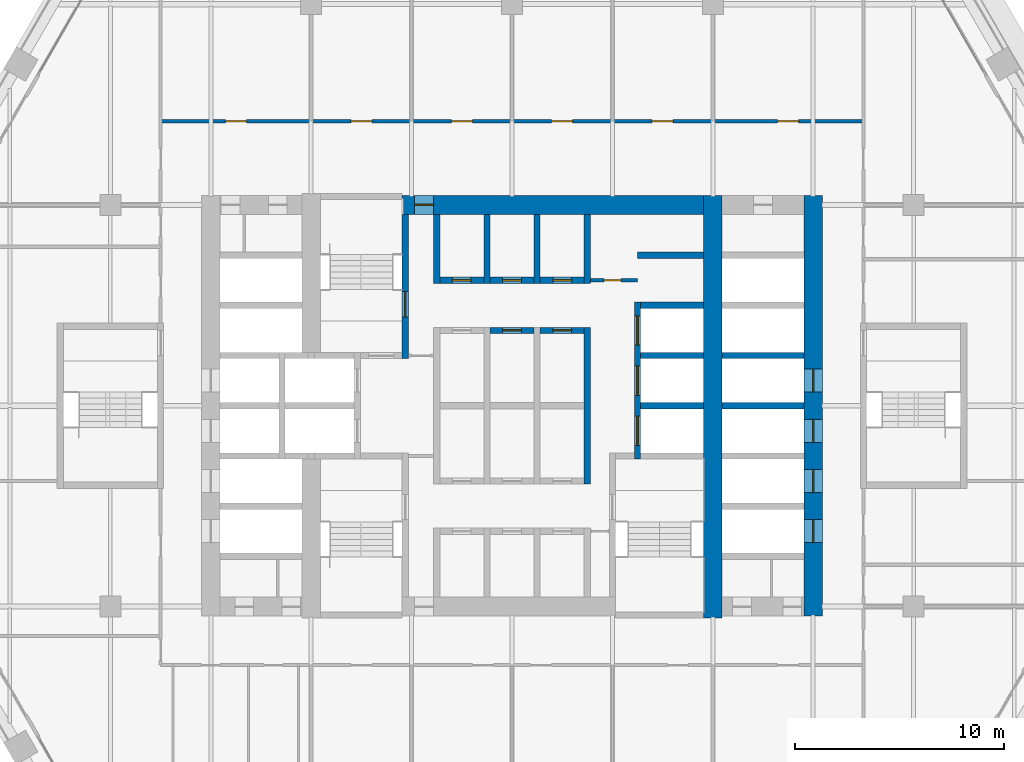
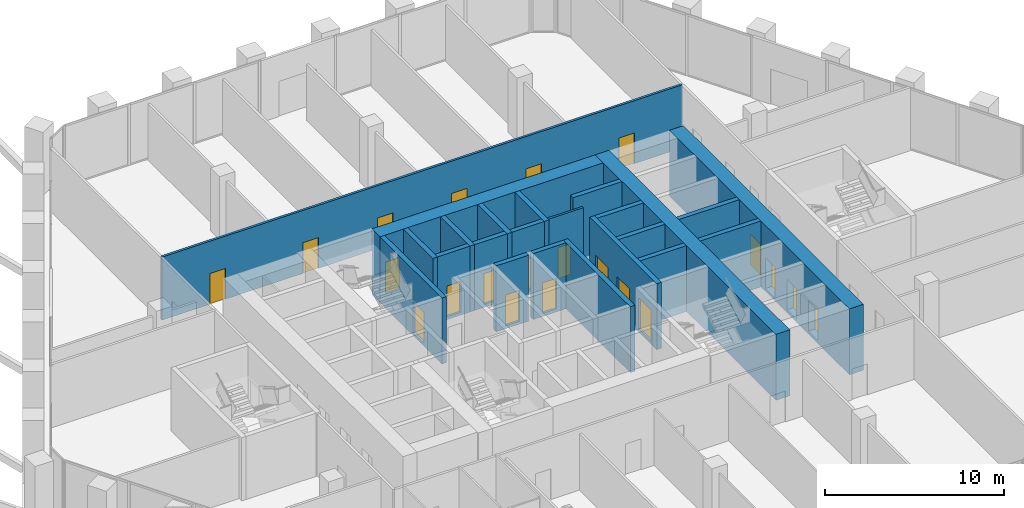
# One storey, part 18 of 27: 23 walls, 21 doors, 21 openings.
"""IFC4 building model written with IfcOpenShell, lengths in metres."""

import ifcopenshell
import ifcopenshell.guid

model = None  # the IFC model being written
_history = None  # IfcOwnerHistory: only IFC2X3 demands one
_inside = {}  # id of a spatial element -> (the spatial element, [elements in it])
_under = {}  # id of a project, library or spatial element -> (it, [spatial elements below it])
_declared = {}  # id of a project -> (the project, [libraries it declares])
_typed = {}  # id of a type object -> (the type object, [elements of that type])
_made_of = {}  # id of a material, layer set ... -> (it, [elements and type objects made of it])


def new_model(schema):
    """Start an empty IFC model of exactly this schema.

    Asked for "IFC4X3", IfcOpenShell would pick the latest addendum, in which some entities
    have other attributes; the version numbers below select the first issue.
    IFC2X3 requires an IfcOwnerHistory on every rooted entity: one is made here for all.
    """
    global model, _history
    if schema == "IFC4X3":
        model = ifcopenshell.file(schema_version=(4, 3, 0, 0))
    else:
        model = ifcopenshell.file(schema=schema)
    _inside.clear()
    _under.clear()
    _declared.clear()
    _typed.clear()
    _made_of.clear()
    _history = None
    if model.schema == "IFC2X3":
        org = make("IfcOrganization", Name="unknown")
        user = make(
            "IfcPersonAndOrganization",
            ThePerson=make("IfcPerson", FamilyName="unknown"),
            TheOrganization=org,
        )
        app = make(
            "IfcApplication",
            ApplicationDeveloper=org,
            Version="unknown",
            ApplicationFullName="unknown",
            ApplicationIdentifier="unknown",
        )
        _history = make(
            "IfcOwnerHistory",
            OwningUser=user,
            OwningApplication=app,
            ChangeAction="ADDED",
            CreationDate=0,
        )
    return model


def make(cls, **values):
    """One entity of the class cls with the attributes given. An attribute that is None is left unset."""
    return model.create_entity(
        cls, **{name: value for name, value in values.items() if value is not None}
    )


def rooted(cls, **values):
    """An entity with a GlobalId (a new one), such as an element, a storey or a relation."""
    return make(cls, GlobalId=ifcopenshell.guid.new(), OwnerHistory=_history, **values)


def si_unit(unit_type, name, prefix=None):
    """IfcSIUnit, for example si_unit("LENGTHUNIT", "METRE", prefix="MILLI")."""
    return make("IfcSIUnit", UnitType=unit_type, Prefix=prefix, Name=name)


def assignment(units):
    """IfcUnitAssignment: the units of a project."""
    return None if units is None else make("IfcUnitAssignment", Units=units)


def point(xyz):
    """IfcCartesianPoint."""
    return None if xyz is None else make("IfcCartesianPoint", Coordinates=xyz)


def direction(xyz):
    """IfcDirection."""
    return None if xyz is None else make("IfcDirection", DirectionRatios=xyz)


def frame(location, z_axis=None, x_axis=None):
    """IfcAxis2Placement3D, a coordinate frame: its origin and axes. An axis left out is left unset."""
    return make(
        "IfcAxis2Placement3D",
        Location=point(location),
        Axis=direction(z_axis),
        RefDirection=direction(x_axis),
    )


def frame_2d(location, x_axis=None):
    """IfcAxis2Placement2D, a coordinate frame in the plane: its origin and x axis."""
    return make(
        "IfcAxis2Placement2D", Location=point(location), RefDirection=direction(x_axis)
    )


def origin():
    """The frame at (0, 0, 0) with its axes left unset."""
    return frame((0.0, 0.0, 0.0))


def place(relative_to, where):
    """IfcLocalPlacement: puts the frame where relative to a parent placement (None: the world)."""
    return make(
        "IfcLocalPlacement", PlacementRelTo=relative_to, RelativePlacement=where
    )


def context(
    kind, dimensions, precision=None, world=None, true_north=None, identifier=None
):
    """IfcGeometricRepresentationContext, for example the 3D "Model" context."""
    return make(
        "IfcGeometricRepresentationContext",
        ContextIdentifier=identifier,
        ContextType=kind,
        CoordinateSpaceDimension=dimensions,
        Precision=precision,
        WorldCoordinateSystem=world,
        TrueNorth=true_north,
    )


def subcontext(parent, identifier, kind, view, scale=None):
    """IfcGeometricRepresentationSubContext, for example "Body" below "Model"."""
    return make(
        "IfcGeometricRepresentationSubContext",
        ContextIdentifier=identifier,
        ContextType=kind,
        ParentContext=parent,
        TargetScale=scale,
        TargetView=view,
    )


def project(units=None, contexts=None):
    """IfcProject with its units and contexts."""
    return rooted(
        "IfcProject",
        Name="project",
        RepresentationContexts=contexts,
        UnitsInContext=assignment(units),
    )


def spatial(cls, under=None, at=None, **own):
    """A site, building, storey or space (cls), placed at a placement, below another one or the project."""
    s = rooted(cls, ObjectPlacement=at, **own)
    if under is not None:
        _under.setdefault(under.id(), (under, []))[1].append(s)
    return s


def profile(cls, at=None, kind="AREA", **sizes):
    """A parametric profile (cls). Its sizes go by their IFC names, for example OverallWidth=200.0."""
    return make(cls, ProfileType=kind, Position=at, **sizes)


def rectangle(**sizes):
    """IfcRectangleProfileDef."""
    return profile("IfcRectangleProfileDef", **sizes)


def extrude(swept, where, along, depth):
    """IfcExtrudedAreaSolid: the profile swept, set in the frame where, extruded along a direction by depth."""
    return make(
        "IfcExtrudedAreaSolid",
        SweptArea=swept,
        Position=where,
        ExtrudedDirection=direction(along),
        Depth=depth,
    )


def shape(context_of_items, identifier, shape_type, items):
    """IfcShapeRepresentation: the items that make up one representation, for example the "Body"."""
    return make(
        "IfcShapeRepresentation",
        ContextOfItems=context_of_items,
        RepresentationIdentifier=identifier,
        RepresentationType=shape_type,
        Items=items,
    )


def material(Name=None, Category=None):
    """IfcMaterial."""
    return make("IfcMaterial", Name=Name, Category=Category)


def layer(
    of_material, thickness, ventilated=None, Name=None, Category=None, Priority=None
):
    """IfcMaterialLayer: one layer of a wall or slab, of a material (None: an air gap)."""
    return make(
        "IfcMaterialLayer",
        Material=of_material,
        LayerThickness=thickness,
        IsVentilated=ventilated,
        Name=Name,
        Category=Category,
        Priority=Priority,
    )


def layer_set(layers, Name=None):
    """IfcMaterialLayerSet."""
    return make("IfcMaterialLayerSet", MaterialLayers=layers, LayerSetName=Name)


def made_of(thing, what):
    """Note that an element or type object is made of a material, layer set ...; save() writes the relation."""
    if what is not None:
        _made_of.setdefault(what.id(), (what, []))[1].append(thing)
    return thing


def type_object(cls, material=None, **own):
    """A type object (cls), such as IfcWallType, which elements share."""
    return made_of(rooted(cls, **own), material)


def element(
    cls,
    number,
    at=None,
    inside=None,
    cuts=None,
    type_object=None,
    material=None,
    context=None,
    identifier="Body",
    shape_type=None,
    held_by="IfcProductDefinitionShape",
    body=None,
    shapes=None,
    **own,
):
    """One element of the class cls, such as IfcWall. Its Tag is "e" and its number.

    at: its placement. inside: the storey or other place that contains it. cuts: it is an
    opening in that element (IfcRelVoidsElement). A single representation is given by context,
    identifier, shape_type and body (its items); several are given by shapes. held_by: the class
    of the entity that holds the representations. save() writes the other relations.
    """
    e = rooted(cls, Tag="e%d" % number, ObjectPlacement=at, **own)
    if body is not None:
        shapes = [shape(context, identifier, shape_type, body)]
    if shapes is not None:
        e.Representation = make(held_by, Representations=shapes)
    if inside is not None:
        _inside.setdefault(inside.id(), (inside, []))[1].append(e)
    if cuts is not None:
        rooted(
            "IfcRelVoidsElement", RelatingBuildingElement=cuts, RelatedOpeningElement=e
        )
    if type_object is not None:
        _typed.setdefault(type_object.id(), (type_object, []))[1].append(e)
    return made_of(e, material)


def fill(opening, filler):
    """IfcRelFillsElement: the door or window that sits in an opening."""
    return rooted(
        "IfcRelFillsElement",
        RelatingOpeningElement=opening,
        RelatedBuildingElement=filler,
    )


def aggregate(whole, parts):
    """IfcRelAggregates: a whole, such as a stair, and the parts it consists of."""
    return rooted("IfcRelAggregates", RelatingObject=whole, RelatedObjects=parts)


def save(model, path):
    """Write the relations noted so far, then the file.

    IfcRelAggregates (storeys below a building ...), IfcRelContainedInSpatialStructure (elements
    in a storey), IfcRelDefinesByType, IfcRelAssociatesMaterial and IfcRelDeclares: one each for
    every whole, place, type object, material and project.
    """
    for whole, parts in _under.values():
        aggregate(whole, parts)
    for where, things in _inside.values():
        rooted(
            "IfcRelContainedInSpatialStructure",
            RelatedElements=things,
            RelatingStructure=where,
        )
    for kind, things in _typed.values():
        rooted("IfcRelDefinesByType", RelatedObjects=things, RelatingType=kind)
    for what, things in _made_of.values():
        rooted("IfcRelAssociatesMaterial", RelatedObjects=things, RelatingMaterial=what)
    for by, libraries in _declared.values():
        rooted("IfcRelDeclares", RelatingContext=by, RelatedDefinitions=libraries)
    model.write(path)


model = new_model("IFC4")

# Units and contexts
model_context = context("Model", 3, precision=1e-05, world=origin(), true_north=direction((0.0, 1.0)))
body_context = subcontext(model_context, "Body", "Model", "MODEL_VIEW")
ifc_project = project(units=[si_unit("LENGTHUNIT", "METRE"), si_unit("AREAUNIT", "SQUARE_METRE"), si_unit("VOLUMEUNIT", "CUBIC_METRE"), si_unit("PLANEANGLEUNIT", "RADIAN"), si_unit("MASSUNIT", "GRAM", prefix="KILO")], contexts=[model_context])

# Site, building, storey
site_placement = place(None, origin())
site = spatial("IfcSite", under=ifc_project, at=site_placement, CompositionType="ELEMENT")
building_placement = place(site_placement, origin())
building = spatial("IfcBuilding", under=site, at=building_placement, Name="Kolab Exchange Tower", CompositionType="ELEMENT")
storey_placement = place(building_placement, frame((0.0, 0.0, 118.39990234375)))
storey = spatial("IfcBuildingStorey", under=building, at=storey_placement, Name="L23", CompositionType="ELEMENT", Elevation=118.39990234375)

# Wall, opening, door
ifc_material_1 = material(Name="Concrete C70/85", Category="concrete")
ifc_layer_1 = layer(ifc_material_1, 0.89990234375)
ifc_layer_set_1 = layer_set([ifc_layer_1], Name="Concrete C70/85")
wall_type_1 = type_object("IfcWallType", Name="CORE WALL 900 C70/85", PredefinedType="SHEAR", material=ifc_layer_set_1)
wall_1_placement = place(storey_placement, frame((-5.25, 9.60009765625, -0.199951171875), z_axis=(0.0, 0.0, 1.0), x_axis=(1.0, 0.0, 0.0)))
wall_1 = element("IfcWall", 1, at=wall_1_placement, inside=storey, type_object=wall_type_1, Name="wall/L23/core/052", PredefinedType="SHEAR", context=body_context, shape_type="SweptSolid", body=[
    extrude(rectangle(XDim=14.39990234375, YDim=0.89990234375, at=frame_2d((7.199951171875, 0.0))), origin(), (0.0, 0.0, 1.0), 4.5),
])
opening_1_placement = place(wall_1_placement, frame((0.60009765625, 0.0, 0.199951171875)))
opening_1 = element("IfcOpeningElement", 2, at=opening_1_placement, cuts=wall_1, Name="Opening D6-225", PredefinedType="OPENING", context=body_context, shape_type="SweptSolid", body=[
    extrude(rectangle(XDim=0.89990234375, YDim=2.10009765625, at=frame_2d((0.449951171875, 1.050048828125))), frame((0.0, 0.4599609375, 0.0), z_axis=(0.0, -1.0, 0.0), x_axis=(1.0, 0.0, 0.0)), (0.0, 0.0, 1.0), 0.919921875),
])
ifc_material_2 = material(Name="Steel S235", Category="steel")
door_type_1 = type_object("IfcDoorType", Name="CORE DOOR 900 EI 120", OperationType="SINGLE_SWING_LEFT", PredefinedType="DOOR", material=ifc_material_2)
door_1_placement = place(opening_1_placement, frame((0.89990234375, 0.0, 0.0), z_axis=(0.0, 0.0, 1.0), x_axis=(-1.0, 0.0, 0.0)))
door_1 = element("IfcDoor", 3, at=door_1_placement, inside=storey, type_object=door_type_1, Name="Core lobby door", OperationType="SINGLE_SWING_RIGHT", OverallHeight=2.10009765625, OverallWidth=0.89990234375, PredefinedType="DOOR", context=body_context, shape_type="SweptSolid", body=[
    extrude(rectangle(XDim=0.89990234375, YDim=2.10009765625, at=frame_2d((0.449951171875, 1.050048828125))), frame((0.0, 0.02490234375, 0.0), z_axis=(0.0, -1.0, 0.0), x_axis=(1.0, 0.0, 0.0)), (0.0, 0.0, 1.0), 0.050048828125),
])
fill(opening_1, door_1)

# Wall
wall_2_placement = place(storey_placement, frame((9.60009765625, -10.14990234375, -0.199951171875), z_axis=(0.0, 0.0, 1.0), x_axis=(0.0, 1.0, 0.0)))
element("IfcWall", 4, at=wall_2_placement, inside=storey, type_object=wall_type_1, Name="wall/L23/core/080", PredefinedType="SHEAR", context=body_context, shape_type="SweptSolid", body=[
    extrude(rectangle(XDim=20.199951171875, YDim=0.89990234375, at=frame_2d((10.10009765625, 0.0))), origin(), (0.0, 0.0, 1.0), 4.5),
])

# Wall, openings, doors
wall_3_placement = place(storey_placement, frame((14.39990234375, -10.050048828125, -0.199951171875), z_axis=(0.0, 0.0, 1.0), x_axis=(0.0, 1.0, 0.0)))
wall_3 = element("IfcWall", 5, at=wall_3_placement, inside=storey, type_object=wall_type_1, Name="wall/L23/core/081", PredefinedType="SHEAR", context=body_context, shape_type="SweptSolid", body=[
    extrude(rectangle(XDim=20.10009765625, YDim=0.89990234375, at=frame_2d((10.050048828125, 0.0))), origin(), (0.0, 0.0, 1.0), 4.5),
])
opening_2_placement = place(wall_3_placement, frame((3.5, 0.0, 0.199951171875)))
opening_2 = element("IfcOpeningElement", 6, at=opening_2_placement, cuts=wall_3, Name="Opening LD1-069", PredefinedType="OPENING", context=body_context, shape_type="SweptSolid", body=[
    extrude(rectangle(XDim=1.10009765625, YDim=2.10009765625, at=frame_2d((0.550048828125, 1.050048828125))), frame((0.0, 0.4599609375, 0.0), z_axis=(0.0, -1.0, 0.0), x_axis=(1.0, 0.0, 0.0)), (0.0, 0.0, 1.0), 0.919921875),
])
opening_3_placement = place(wall_3_placement, frame((5.89990234375, 0.0, 0.199951171875)))
opening_3 = element("IfcOpeningElement", 7, at=opening_3_placement, cuts=wall_3, Name="Opening LD1-070", PredefinedType="OPENING", context=body_context, shape_type="SweptSolid", body=[
    extrude(rectangle(XDim=1.10009765625, YDim=2.10009765625, at=frame_2d((0.550048828125, 1.050048828125))), frame((0.0, 0.4599609375, 0.0), z_axis=(0.0, -1.0, 0.0), x_axis=(1.0, 0.0, 0.0)), (0.0, 0.0, 1.0), 0.919921875),
])
opening_4_placement = place(wall_3_placement, frame((8.300048828125, 0.0, 0.199951171875)))
opening_4 = element("IfcOpeningElement", 8, at=opening_4_placement, cuts=wall_3, Name="Opening LD1-071", PredefinedType="OPENING", context=body_context, shape_type="SweptSolid", body=[
    extrude(rectangle(XDim=1.10009765625, YDim=2.10009765625, at=frame_2d((0.550048828125, 1.050048828125))), frame((0.0, 0.4599609375, 0.0), z_axis=(0.0, -1.0, 0.0), x_axis=(1.0, 0.0, 0.0)), (0.0, 0.0, 1.0), 0.919921875),
])
opening_5_placement = place(wall_3_placement, frame((10.699951171875, 0.0, 0.199951171875)))
opening_5 = element("IfcOpeningElement", 9, at=opening_5_placement, cuts=wall_3, Name="Opening LD1-072", PredefinedType="OPENING", context=body_context, shape_type="SweptSolid", body=[
    extrude(rectangle(XDim=1.10009765625, YDim=2.10009765625, at=frame_2d((0.550048828125, 1.050048828125))), frame((0.0, 0.4599609375, 0.0), z_axis=(0.0, -1.0, 0.0), x_axis=(1.0, 0.0, 0.0)), (0.0, 0.0, 1.0), 0.919921875),
])
ifc_material_3 = material(Name="Stainless steel 316", Category="steel")
door_type_2 = type_object("IfcDoorType", Name="LANDING DOOR 1100 PASSENGER", OperationType="DOUBLE_DOOR_SLIDING", PredefinedType="DOOR", material=ifc_material_3)
door_2_placement = place(opening_2_placement, origin())
door_2 = element("IfcDoor", 10, at=door_2_placement, inside=storey, type_object=door_type_2, Name="Landing door LR1", OperationType="DOUBLE_DOOR_SLIDING", OverallHeight=2.10009765625, OverallWidth=1.10009765625, PredefinedType="DOOR", context=body_context, shape_type="SweptSolid", body=[
    extrude(rectangle(XDim=1.10009765625, YDim=2.10009765625, at=frame_2d((0.550048828125, 1.050048828125))), frame((0.0, 0.02490234375, 0.0), z_axis=(0.0, -1.0, 0.0), x_axis=(1.0, 0.0, 0.0)), (0.0, 0.0, 1.0), 0.050048828125),
])
fill(opening_2, door_2)
door_3_placement = place(opening_3_placement, origin())
door_3 = element("IfcDoor", 11, at=door_3_placement, inside=storey, type_object=door_type_2, Name="Landing door LR2", OperationType="DOUBLE_DOOR_SLIDING", OverallHeight=2.10009765625, OverallWidth=1.10009765625, PredefinedType="DOOR", context=body_context, shape_type="SweptSolid", body=[
    extrude(rectangle(XDim=1.10009765625, YDim=2.10009765625, at=frame_2d((0.550048828125, 1.050048828125))), frame((0.0, 0.02490234375, 0.0), z_axis=(0.0, -1.0, 0.0), x_axis=(1.0, 0.0, 0.0)), (0.0, 0.0, 1.0), 0.050048828125),
])
fill(opening_3, door_3)
door_4_placement = place(opening_4_placement, origin())
door_4 = element("IfcDoor", 12, at=door_4_placement, inside=storey, type_object=door_type_2, Name="Landing door LR3", OperationType="DOUBLE_DOOR_SLIDING", OverallHeight=2.10009765625, OverallWidth=1.10009765625, PredefinedType="DOOR", context=body_context, shape_type="SweptSolid", body=[
    extrude(rectangle(XDim=1.10009765625, YDim=2.10009765625, at=frame_2d((0.550048828125, 1.050048828125))), frame((0.0, 0.02490234375, 0.0), z_axis=(0.0, -1.0, 0.0), x_axis=(1.0, 0.0, 0.0)), (0.0, 0.0, 1.0), 0.050048828125),
])
fill(opening_4, door_4)
door_5_placement = place(opening_5_placement, origin())
door_5 = element("IfcDoor", 13, at=door_5_placement, inside=storey, type_object=door_type_2, Name="Landing door LR4", OperationType="DOUBLE_DOOR_SLIDING", OverallHeight=2.10009765625, OverallWidth=1.10009765625, PredefinedType="DOOR", context=body_context, shape_type="SweptSolid", body=[
    extrude(rectangle(XDim=1.10009765625, YDim=2.10009765625, at=frame_2d((0.550048828125, 1.050048828125))), frame((0.0, 0.02490234375, 0.0), z_axis=(0.0, -1.0, 0.0), x_axis=(1.0, 0.0, 0.0)), (0.0, 0.0, 1.0), 0.050048828125),
])
fill(opening_5, door_5)

# Walls
ifc_material_4 = material(Name="Concrete C50/60", Category="concrete")
ifc_layer_2 = layer(ifc_material_4, 0.300048828125)
ifc_layer_set_2 = layer_set([ifc_layer_2], Name="Concrete C50/60")
wall_type_2 = type_object("IfcWallType", Name="LIFT SHAFT WALL 300 C50/60", PredefinedType="STANDARD", material=ifc_layer_set_2)
wall_4_placement = place(storey_placement, frame((6.14990234375, 0.0, -0.199951171875), z_axis=(0.0, 0.0, 1.0), x_axis=(1.0, 0.0, 0.0)))
element("IfcWall", 14, at=wall_4_placement, inside=storey, type_object=wall_type_2, Name="wall/L23/core/029", PredefinedType="STANDARD", context=body_context, shape_type="SweptSolid", body=[
    extrude(rectangle(XDim=3.0, YDim=0.300048828125, at=frame_2d((1.5, 0.0))), origin(), (0.0, 0.0, 1.0), 4.5),
])
wall_5_placement = place(storey_placement, frame((10.050048828125, 0.0, -0.199951171875), z_axis=(0.0, 0.0, 1.0), x_axis=(1.0, 0.0, 0.0)))
element("IfcWall", 15, at=wall_5_placement, inside=storey, type_object=wall_type_2, Name="wall/L23/core/030", PredefinedType="STANDARD", context=body_context, shape_type="SweptSolid", body=[
    extrude(rectangle(XDim=3.89990234375, YDim=0.300048828125, at=frame_2d((1.949951171875, 0.0))), origin(), (0.0, 0.0, 1.0), 4.5),
])
wall_6_placement = place(storey_placement, frame((6.14990234375, 2.39990234375, -0.199951171875), z_axis=(0.0, 0.0, 1.0), x_axis=(1.0, 0.0, 0.0)))
element("IfcWall", 16, at=wall_6_placement, inside=storey, type_object=wall_type_2, Name="wall/L23/core/035", PredefinedType="STANDARD", context=body_context, shape_type="SweptSolid", body=[
    extrude(rectangle(XDim=3.0, YDim=0.300048828125, at=frame_2d((1.5, 0.0))), origin(), (0.0, 0.0, 1.0), 4.5),
])
wall_7_placement = place(storey_placement, frame((10.050048828125, 2.39990234375, -0.199951171875), z_axis=(0.0, 0.0, 1.0), x_axis=(1.0, 0.0, 0.0)))
element("IfcWall", 17, at=wall_7_placement, inside=storey, type_object=wall_type_2, Name="wall/L23/core/036", PredefinedType="STANDARD", context=body_context, shape_type="SweptSolid", body=[
    extrude(rectangle(XDim=3.89990234375, YDim=0.300048828125, at=frame_2d((1.949951171875, 0.0))), origin(), (0.0, 0.0, 1.0), 4.5),
])

# Wall, opening, door
wall_8_placement = place(storey_placement, frame((-1.050048828125, 3.60009765625, -0.199951171875), z_axis=(0.0, 0.0, 1.0), x_axis=(1.0, 0.0, 0.0)))
wall_8 = element("IfcWall", 18, at=wall_8_placement, inside=storey, type_object=wall_type_2, Name="wall/L23/core/038", PredefinedType="STANDARD", context=body_context, shape_type="SweptSolid", body=[
    extrude(rectangle(XDim=2.10009765625, YDim=0.300048828125, at=frame_2d((1.050048828125, 0.0))), origin(), (0.0, 0.0, 1.0), 4.5),
])
opening_6_placement = place(wall_8_placement, frame((0.60009765625, 0.0, 0.199951171875)))
opening_6 = element("IfcOpeningElement", 19, at=opening_6_placement, cuts=wall_8, Name="Opening D6-230", PredefinedType="OPENING", context=body_context, shape_type="SweptSolid", body=[
    extrude(rectangle(XDim=0.89990234375, YDim=2.10009765625, at=frame_2d((0.449951171875, 1.050048828125))), frame((0.0, 0.16015625, 0.0), z_axis=(0.0, -1.0, 0.0), x_axis=(1.0, 0.0, 0.0)), (0.0, 0.0, 1.0), 0.320068359375),
])
door_6_placement = place(opening_6_placement, frame((0.89990234375, 0.0, 0.0), z_axis=(0.0, 0.0, 1.0), x_axis=(-1.0, 0.0, 0.0)))
door_6 = element("IfcDoor", 20, at=door_6_placement, inside=storey, type_object=door_type_1, Name="Service room door", OperationType="SINGLE_SWING_RIGHT", OverallHeight=2.10009765625, OverallWidth=0.89990234375, PredefinedType="DOOR", context=body_context, shape_type="SweptSolid", body=[
    extrude(rectangle(XDim=0.89990234375, YDim=2.10009765625, at=frame_2d((0.449951171875, 1.050048828125))), frame((0.0, 0.02490234375, 0.0), z_axis=(0.0, -1.0, 0.0), x_axis=(1.0, 0.0, 0.0)), (0.0, 0.0, 1.0), 0.050048828125),
])
fill(opening_6, door_6)

wall_9_placement = place(storey_placement, frame((1.35009765625, 3.60009765625, -0.199951171875), z_axis=(0.0, 0.0, 1.0), x_axis=(1.0, 0.0, 0.0)))
wall_9 = element("IfcWall", 21, at=wall_9_placement, inside=storey, type_object=wall_type_2, Name="wall/L23/core/039", PredefinedType="STANDARD", context=body_context, shape_type="SweptSolid", body=[
    extrude(rectangle(XDim=2.099853515625, YDim=0.300048828125, at=frame_2d((1.0498046875, 0.0))), origin(), (0.0, 0.0, 1.0), 4.5),
])
opening_7_placement = place(wall_9_placement, frame((0.60009765625, 0.0, 0.199951171875)))
opening_7 = element("IfcOpeningElement", 22, at=opening_7_placement, cuts=wall_9, Name="Opening D6-194", PredefinedType="OPENING", context=body_context, shape_type="SweptSolid", body=[
    extrude(rectangle(XDim=0.89990234375, YDim=2.10009765625, at=frame_2d((0.449951171875, 1.050048828125))), frame((0.0, 0.16015625, 0.0), z_axis=(0.0, -1.0, 0.0), x_axis=(1.0, 0.0, 0.0)), (0.0, 0.0, 1.0), 0.320068359375),
])
door_7_placement = place(opening_7_placement, frame((0.89990234375, 0.0, 0.0), z_axis=(0.0, 0.0, 1.0), x_axis=(-1.0, 0.0, 0.0)))
door_7 = element("IfcDoor", 23, at=door_7_placement, inside=storey, type_object=door_type_1, Name="Service room door", OperationType="SINGLE_SWING_RIGHT", OverallHeight=2.10009765625, OverallWidth=0.89990234375, PredefinedType="DOOR", context=body_context, shape_type="SweptSolid", body=[
    extrude(rectangle(XDim=0.89990234375, YDim=2.10009765625, at=frame_2d((0.449951171875, 1.050048828125))), frame((0.0, 0.02490234375, 0.0), z_axis=(0.0, -1.0, 0.0), x_axis=(1.0, 0.0, 0.0)), (0.0, 0.0, 1.0), 0.050048828125),
])
fill(opening_7, door_7)

# Wall
wall_10_placement = place(storey_placement, frame((6.14990234375, 4.800048828125, -0.199951171875), z_axis=(0.0, 0.0, 1.0), x_axis=(1.0, 0.0, 0.0)))
element("IfcWall", 24, at=wall_10_placement, inside=storey, type_object=wall_type_2, Name="wall/L23/core/043", PredefinedType="STANDARD", context=body_context, shape_type="SweptSolid", body=[
    extrude(rectangle(XDim=3.0, YDim=0.300048828125, at=frame_2d((1.5, 0.0))), origin(), (0.0, 0.0, 1.0), 4.5),
])

# Wall, opening, door
wall_11_placement = place(storey_placement, frame((-3.449951171875, 6.0, -0.199951171875), z_axis=(0.0, 0.0, 1.0), x_axis=(1.0, 0.0, 0.0)))
wall_11 = element("IfcWall", 25, at=wall_11_placement, inside=storey, type_object=wall_type_2, Name="wall/L23/core/045", PredefinedType="STANDARD", context=body_context, shape_type="SweptSolid", body=[
    extrude(rectangle(XDim=2.099853515625, YDim=0.300048828125, at=frame_2d((1.0498046875, 0.0))), origin(), (0.0, 0.0, 1.0), 4.5),
])
opening_8_placement = place(wall_11_placement, frame((0.60009765625, 0.0, 0.199951171875)))
opening_8 = element("IfcOpeningElement", 26, at=opening_8_placement, cuts=wall_11, Name="Opening D6-193", PredefinedType="OPENING", context=body_context, shape_type="SweptSolid", body=[
    extrude(rectangle(XDim=0.89990234375, YDim=2.10009765625, at=frame_2d((0.449951171875, 1.050048828125))), frame((0.0, 0.16015625, 0.0), z_axis=(0.0, -1.0, 0.0), x_axis=(1.0, 0.0, 0.0)), (0.0, 0.0, 1.0), 0.320068359375),
])
door_8_placement = place(opening_8_placement, origin())
door_8 = element("IfcDoor", 27, at=door_8_placement, inside=storey, type_object=door_type_1, Name="Service room door", OperationType="SINGLE_SWING_LEFT", OverallHeight=2.10009765625, OverallWidth=0.89990234375, PredefinedType="DOOR", context=body_context, shape_type="SweptSolid", body=[
    extrude(rectangle(XDim=0.89990234375, YDim=2.10009765625, at=frame_2d((0.449951171875, 1.050048828125))), frame((0.0, 0.02490234375, 0.0), z_axis=(0.0, -1.0, 0.0), x_axis=(1.0, 0.0, 0.0)), (0.0, 0.0, 1.0), 0.050048828125),
])
fill(opening_8, door_8)

wall_12_placement = place(storey_placement, frame((-1.050048828125, 6.0, -0.199951171875), z_axis=(0.0, 0.0, 1.0), x_axis=(1.0, 0.0, 0.0)))
wall_12 = element("IfcWall", 28, at=wall_12_placement, inside=storey, type_object=wall_type_2, Name="wall/L23/core/046", PredefinedType="STANDARD", context=body_context, shape_type="SweptSolid", body=[
    extrude(rectangle(XDim=2.10009765625, YDim=0.300048828125, at=frame_2d((1.050048828125, 0.0))), origin(), (0.0, 0.0, 1.0), 4.5),
])
opening_9_placement = place(wall_12_placement, frame((0.60009765625, 0.0, 0.199951171875)))
opening_9 = element("IfcOpeningElement", 29, at=opening_9_placement, cuts=wall_12, Name="Opening D6-192", PredefinedType="OPENING", context=body_context, shape_type="SweptSolid", body=[
    extrude(rectangle(XDim=0.89990234375, YDim=2.10009765625, at=frame_2d((0.449951171875, 1.050048828125))), frame((0.0, 0.16015625, 0.0), z_axis=(0.0, -1.0, 0.0), x_axis=(1.0, 0.0, 0.0)), (0.0, 0.0, 1.0), 0.320068359375),
])
door_9_placement = place(opening_9_placement, origin())
door_9 = element("IfcDoor", 30, at=door_9_placement, inside=storey, type_object=door_type_1, Name="Service room door", OperationType="SINGLE_SWING_LEFT", OverallHeight=2.10009765625, OverallWidth=0.89990234375, PredefinedType="DOOR", context=body_context, shape_type="SweptSolid", body=[
    extrude(rectangle(XDim=0.89990234375, YDim=2.10009765625, at=frame_2d((0.449951171875, 1.050048828125))), frame((0.0, 0.02490234375, 0.0), z_axis=(0.0, -1.0, 0.0), x_axis=(1.0, 0.0, 0.0)), (0.0, 0.0, 1.0), 0.050048828125),
])
fill(opening_9, door_9)

wall_13_placement = place(storey_placement, frame((1.35009765625, 6.0, -0.199951171875), z_axis=(0.0, 0.0, 1.0), x_axis=(1.0, 0.0, 0.0)))
wall_13 = element("IfcWall", 31, at=wall_13_placement, inside=storey, type_object=wall_type_2, Name="wall/L23/core/047", PredefinedType="STANDARD", context=body_context, shape_type="SweptSolid", body=[
    extrude(rectangle(XDim=2.099853515625, YDim=0.300048828125, at=frame_2d((1.0498046875, 0.0))), origin(), (0.0, 0.0, 1.0), 4.5),
])
opening_10_placement = place(wall_13_placement, frame((0.60009765625, 0.0, 0.199951171875)))
opening_10 = element("IfcOpeningElement", 32, at=opening_10_placement, cuts=wall_13, Name="Opening D6-191", PredefinedType="OPENING", context=body_context, shape_type="SweptSolid", body=[
    extrude(rectangle(XDim=0.89990234375, YDim=2.10009765625, at=frame_2d((0.449951171875, 1.050048828125))), frame((0.0, 0.16015625, 0.0), z_axis=(0.0, -1.0, 0.0), x_axis=(1.0, 0.0, 0.0)), (0.0, 0.0, 1.0), 0.320068359375),
])
door_10_placement = place(opening_10_placement, origin())
door_10 = element("IfcDoor", 33, at=door_10_placement, inside=storey, type_object=door_type_1, Name="Service room door", OperationType="SINGLE_SWING_RIGHT", OverallHeight=2.10009765625, OverallWidth=0.89990234375, PredefinedType="DOOR", context=body_context, shape_type="SweptSolid", body=[
    extrude(rectangle(XDim=0.89990234375, YDim=2.10009765625, at=frame_2d((0.449951171875, 1.050048828125))), frame((0.0, 0.02490234375, 0.0), z_axis=(0.0, -1.0, 0.0), x_axis=(1.0, 0.0, 0.0)), (0.0, 0.0, 1.0), 0.050048828125),
])
fill(opening_10, door_10)

# Walls
wall_14_placement = place(storey_placement, frame((6.0, 7.199951171875, -0.199951171875), z_axis=(0.0, 0.0, 1.0), x_axis=(1.0, 0.0, 0.0)))
element("IfcWall", 34, at=wall_14_placement, inside=storey, type_object=wall_type_2, Name="wall/L23/core/049", PredefinedType="STANDARD", context=body_context, shape_type="SweptSolid", body=[
    extrude(rectangle(XDim=3.14990234375, YDim=0.300048828125, at=frame_2d((1.574951171875, 0.0))), origin(), (0.0, 0.0, 1.0), 4.5),
])
for number, where, z_axis, x_axis, name in (
    (35, (-3.60009765625, 5.85009765625, -0.199951171875), (0.0, 0.0, 1.0), (0.0, 1.0, 0.0), "wall/L23/core/068"),
    (36, (-1.199951171875, 5.85009765625, -0.199951171875), (0.0, 0.0, 1.0), (0.0, 1.0, 0.0), "wall/L23/core/071"),
    (37, (1.199951171875, 5.85009765625, -0.199951171875), (0.0, 0.0, 1.0), (0.0, 1.0, 0.0), "wall/L23/core/074"),
):
    element("IfcWall", number, at=place(storey_placement, frame(where, z_axis=z_axis, x_axis=x_axis)), inside=storey, type_object=wall_type_2, Name=name, PredefinedType="STANDARD", context=body_context, shape_type="SweptSolid", body=[
        extrude(rectangle(XDim=3.2998046875, YDim=0.300048828125, at=frame_2d((1.64990234375, 0.0))), origin(), (0.0, 0.0, 1.0), 4.5),
    ])
wall_15_placement = place(storey_placement, frame((3.60009765625, -3.75, -0.199951171875), z_axis=(0.0, 0.0, 1.0), x_axis=(0.0, 1.0, 0.0)))
element("IfcWall", 38, at=wall_15_placement, inside=storey, type_object=wall_type_2, Name="wall/L23/core/076", PredefinedType="STANDARD", context=body_context, shape_type="SweptSolid", body=[
    extrude(rectangle(XDim=7.5, YDim=0.300048828125, at=frame_2d((3.75, 0.0))), origin(), (0.0, 0.0, 1.0), 4.5),
])
wall_16_placement = place(storey_placement, frame((3.60009765625, 5.85009765625, -0.199951171875), z_axis=(0.0, 0.0, 1.0), x_axis=(0.0, 1.0, 0.0)))
element("IfcWall", 39, at=wall_16_placement, inside=storey, type_object=wall_type_2, Name="wall/L23/core/077", PredefinedType="STANDARD", context=body_context, shape_type="SweptSolid", body=[
    extrude(rectangle(XDim=3.2998046875, YDim=0.300048828125, at=frame_2d((1.64990234375, 0.0))), origin(), (0.0, 0.0, 1.0), 4.5),
])

# Wall, openings, doors
wall_17_placement = place(storey_placement, frame((6.0, -2.550048828125, -0.199951171875), z_axis=(0.0, 0.0, 1.0), x_axis=(0.0, 1.0, 0.0)))
wall_17 = element("IfcWall", 40, at=wall_17_placement, inside=storey, type_object=wall_type_2, Name="wall/L23/core/079", PredefinedType="STANDARD", context=body_context, shape_type="SweptSolid", body=[
    extrude(rectangle(XDim=7.5, YDim=0.300048828125, at=frame_2d((3.75, 0.0))), origin(), (0.0, 0.0, 1.0), 4.5),
])
opening_11_placement = place(wall_17_placement, frame((0.64990234375, 0.0, 0.199951171875)))
opening_11 = element("IfcOpeningElement", 41, at=opening_11_placement, cuts=wall_17, Name="Opening LD3-025", PredefinedType="OPENING", context=body_context, shape_type="SweptSolid", body=[
    extrude(rectangle(XDim=1.39990234375, YDim=2.10009765625, at=frame_2d((0.699951171875, 1.050048828125))), frame((0.0, 0.16015625, 0.0), z_axis=(0.0, -1.0, 0.0), x_axis=(1.0, 0.0, 0.0)), (0.0, 0.0, 1.0), 0.320068359375),
])
opening_12_placement = place(wall_17_placement, frame((3.050048828125, 0.0, 0.199951171875)))
opening_12 = element("IfcOpeningElement", 42, at=opening_12_placement, cuts=wall_17, Name="Opening LD3-026", PredefinedType="OPENING", context=body_context, shape_type="SweptSolid", body=[
    extrude(rectangle(XDim=1.39990234375, YDim=2.10009765625, at=frame_2d((0.699951171875, 1.050048828125))), frame((0.0, 0.16015625, 0.0), z_axis=(0.0, -1.0, 0.0), x_axis=(1.0, 0.0, 0.0)), (0.0, 0.0, 1.0), 0.320068359375),
])
opening_13_placement = place(wall_17_placement, frame((5.449951171875, 0.0, 0.199951171875)))
opening_13 = element("IfcOpeningElement", 43, at=opening_13_placement, cuts=wall_17, Name="Opening LD3-027", PredefinedType="OPENING", context=body_context, shape_type="SweptSolid", body=[
    extrude(rectangle(XDim=1.39990234375, YDim=2.10009765625, at=frame_2d((0.699951171875, 1.050048828125))), frame((0.0, 0.16015625, 0.0), z_axis=(0.0, -1.0, 0.0), x_axis=(1.0, 0.0, 0.0)), (0.0, 0.0, 1.0), 0.320068359375),
])
door_type_3 = type_object("IfcDoorType", Name="LANDING DOOR 1400 SERVICE", OperationType="DOUBLE_DOOR_SLIDING", PredefinedType="DOOR", material=ifc_material_3)
door_11_placement = place(opening_11_placement, origin())
door_11 = element("IfcDoor", 44, at=door_11_placement, inside=storey, type_object=door_type_3, Name="Landing door SV1", OperationType="DOUBLE_DOOR_SLIDING", OverallHeight=2.10009765625, OverallWidth=1.39990234375, PredefinedType="DOOR", context=body_context, shape_type="SweptSolid", body=[
    extrude(rectangle(XDim=1.39990234375, YDim=2.10009765625, at=frame_2d((0.699951171875, 1.050048828125))), frame((0.0, 0.02490234375, 0.0), z_axis=(0.0, -1.0, 0.0), x_axis=(1.0, 0.0, 0.0)), (0.0, 0.0, 1.0), 0.050048828125),
])
fill(opening_11, door_11)
door_12_placement = place(opening_12_placement, origin())
door_12 = element("IfcDoor", 45, at=door_12_placement, inside=storey, type_object=door_type_3, Name="Landing door SV2", OperationType="DOUBLE_DOOR_SLIDING", OverallHeight=2.10009765625, OverallWidth=1.39990234375, PredefinedType="DOOR", context=body_context, shape_type="SweptSolid", body=[
    extrude(rectangle(XDim=1.39990234375, YDim=2.10009765625, at=frame_2d((0.699951171875, 1.050048828125))), frame((0.0, 0.02490234375, 0.0), z_axis=(0.0, -1.0, 0.0), x_axis=(1.0, 0.0, 0.0)), (0.0, 0.0, 1.0), 0.050048828125),
])
fill(opening_12, door_12)
door_13_placement = place(opening_13_placement, origin())
door_13 = element("IfcDoor", 46, at=door_13_placement, inside=storey, type_object=door_type_3, Name="Landing door SV3", OperationType="DOUBLE_DOOR_SLIDING", OverallHeight=2.10009765625, OverallWidth=1.39990234375, PredefinedType="DOOR", context=body_context, shape_type="SweptSolid", body=[
    extrude(rectangle(XDim=1.39990234375, YDim=2.10009765625, at=frame_2d((0.699951171875, 1.050048828125))), frame((0.0, 0.02490234375, 0.0), z_axis=(0.0, -1.0, 0.0), x_axis=(1.0, 0.0, 0.0)), (0.0, 0.0, 1.0), 0.050048828125),
])
fill(opening_13, door_13)

# Wall, opening, door
ifc_material_5 = material(Name="Gypsum board", Category="gypsum")
ifc_layer_3 = layer(ifc_material_5, 0.14990234375)
ifc_layer_set_3 = layer_set([ifc_layer_3], Name="Gypsum board")
wall_type_3 = type_object("IfcWallType", Name="PARTITION 150 FIRE-RATED", PredefinedType="PARTITIONING", material=ifc_layer_set_3)
wall_18_placement = place(storey_placement, frame((3.75, 6.0, 0.0), z_axis=(0.0, 0.0, 1.0), x_axis=(1.0, 0.0, 0.0)))
wall_18 = element("IfcWall", 47, at=wall_18_placement, inside=storey, type_object=wall_type_3, Name="Partition 035", PredefinedType="PARTITIONING", context=body_context, shape_type="SweptSolid", body=[
    extrude(rectangle(XDim=2.25, YDim=0.14990234375, at=frame_2d((1.125, 0.0))), origin(), (0.0, 0.0, 1.0), 4.300048828125),
])
opening_14_placement = place(wall_18_placement, frame((0.64990234375, 0.0, 0.0)))
opening_14 = element("IfcOpeningElement", 48, at=opening_14_placement, cuts=wall_18, Name="Opening D7-023", PredefinedType="OPENING", context=body_context, shape_type="SweptSolid", body=[
    extrude(rectangle(XDim=0.800048828125, YDim=2.10009765625, at=frame_2d((0.39990234375, 1.050048828125))), frame((0.0, 0.0849609375, 0.0), z_axis=(0.0, -1.0, 0.0), x_axis=(1.0, 0.0, 0.0)), (0.0, 0.0, 1.0), 0.169921875),
])
door_type_4 = type_object("IfcDoorType", Name="FLUSH DOOR 800 FD60", OperationType="SINGLE_SWING_LEFT", PredefinedType="DOOR", material=ifc_material_2)
door_14_placement = place(opening_14_placement, origin())
door_14 = element("IfcDoor", 49, at=door_14_placement, inside=storey, type_object=door_type_4, Name="Door L23-040", OperationType="SINGLE_SWING_LEFT", OverallHeight=2.10009765625, OverallWidth=0.800048828125, PredefinedType="DOOR", context=body_context, shape_type="SweptSolid", body=[
    extrude(rectangle(XDim=0.800048828125, YDim=2.10009765625, at=frame_2d((0.39990234375, 1.050048828125))), frame((0.0, 0.02490234375, 0.0), z_axis=(0.0, -1.0, 0.0), x_axis=(1.0, 0.0, 0.0)), (0.0, 0.0, 1.0), 0.050048828125),
])
fill(opening_14, door_14)

# Wall, openings, doors
wall_19_placement = place(storey_placement, frame((-16.800048828125, 13.60009765625, 0.0), z_axis=(0.0, 0.0, 1.0), x_axis=(1.0, 0.0, 0.0)))
wall_19 = element("IfcWall", 50, at=wall_19_placement, inside=storey, type_object=wall_type_3, Name="Partition 042", PredefinedType="PARTITIONING", context=body_context, shape_type="SweptSolid", body=[
    extrude(rectangle(XDim=33.60009765625, YDim=0.14990234375, at=frame_2d((16.800048828125, 0.0))), origin(), (0.0, 0.0, 1.0), 4.300048828125),
])
opening_15_placement = place(wall_19_placement, frame((3.10009765625, 0.0, 0.0)))
opening_15 = element("IfcOpeningElement", 51, at=opening_15_placement, cuts=wall_19, Name="Opening D1-301", PredefinedType="OPENING", context=body_context, shape_type="SweptSolid", body=[
    extrude(rectangle(XDim=1.0, YDim=2.10009765625, at=frame_2d((0.5, 1.050048828125))), frame((0.0, 0.0849609375, 0.0), z_axis=(0.0, -1.0, 0.0), x_axis=(1.0, 0.0, 0.0)), (0.0, 0.0, 1.0), 0.169921875),
])
opening_16_placement = place(wall_19_placement, frame((9.10009765625, 0.0, 0.0)))
opening_16 = element("IfcOpeningElement", 52, at=opening_16_placement, cuts=wall_19, Name="Opening D1-302", PredefinedType="OPENING", context=body_context, shape_type="SweptSolid", body=[
    extrude(rectangle(XDim=1.0, YDim=2.10009765625, at=frame_2d((0.5, 1.050048828125))), frame((0.0, 0.0849609375, 0.0), z_axis=(0.0, -1.0, 0.0), x_axis=(1.0, 0.0, 0.0)), (0.0, 0.0, 1.0), 0.169921875),
])
opening_17_placement = place(wall_19_placement, frame((13.89990234375, 0.0, 0.0)))
opening_17 = element("IfcOpeningElement", 53, at=opening_17_placement, cuts=wall_19, Name="Opening D1-303", PredefinedType="OPENING", context=body_context, shape_type="SweptSolid", body=[
    extrude(rectangle(XDim=1.0, YDim=2.10009765625, at=frame_2d((0.5, 1.050048828125))), frame((0.0, 0.0849609375, 0.0), z_axis=(0.0, -1.0, 0.0), x_axis=(1.0, 0.0, 0.0)), (0.0, 0.0, 1.0), 0.169921875),
])
opening_18_placement = place(wall_19_placement, frame((18.699951171875, 0.0, 0.0)))
opening_18 = element("IfcOpeningElement", 54, at=opening_18_placement, cuts=wall_19, Name="Opening D1-304", PredefinedType="OPENING", context=body_context, shape_type="SweptSolid", body=[
    extrude(rectangle(XDim=1.0, YDim=2.10009765625, at=frame_2d((0.5, 1.050048828125))), frame((0.0, 0.0849609375, 0.0), z_axis=(0.0, -1.0, 0.0), x_axis=(1.0, 0.0, 0.0)), (0.0, 0.0, 1.0), 0.169921875),
])
opening_19_placement = place(wall_19_placement, frame((23.5, 0.0, 0.0)))
opening_19 = element("IfcOpeningElement", 55, at=opening_19_placement, cuts=wall_19, Name="Opening D1-305", PredefinedType="OPENING", context=body_context, shape_type="SweptSolid", body=[
    extrude(rectangle(XDim=1.0, YDim=2.10009765625, at=frame_2d((0.5, 1.050048828125))), frame((0.0, 0.0849609375, 0.0), z_axis=(0.0, -1.0, 0.0), x_axis=(1.0, 0.0, 0.0)), (0.0, 0.0, 1.0), 0.169921875),
])
opening_20_placement = place(wall_19_placement, frame((29.5, 0.0, 0.0)))
opening_20 = element("IfcOpeningElement", 56, at=opening_20_placement, cuts=wall_19, Name="Opening D1-306", PredefinedType="OPENING", context=body_context, shape_type="SweptSolid", body=[
    extrude(rectangle(XDim=1.0, YDim=2.10009765625, at=frame_2d((0.5, 1.050048828125))), frame((0.0, 0.0849609375, 0.0), z_axis=(0.0, -1.0, 0.0), x_axis=(1.0, 0.0, 0.0)), (0.0, 0.0, 1.0), 0.169921875),
])
door_type_5 = type_object("IfcDoorType", Name="FLUSH DOOR 1000 FD60", OperationType="SINGLE_SWING_LEFT", PredefinedType="DOOR", material=ifc_material_2)
door_15_placement = place(opening_15_placement, origin())
door_15 = element("IfcDoor", 57, at=door_15_placement, inside=storey, type_object=door_type_5, Name="Door L23-048", OperationType="SINGLE_SWING_LEFT", OverallHeight=2.10009765625, OverallWidth=1.0, PredefinedType="DOOR", context=body_context, shape_type="SweptSolid", body=[
    extrude(rectangle(XDim=1.0, YDim=2.10009765625, at=frame_2d((0.5, 1.050048828125))), frame((0.0, 0.02490234375, 0.0), z_axis=(0.0, -1.0, 0.0), x_axis=(1.0, 0.0, 0.0)), (0.0, 0.0, 1.0), 0.050048828125),
])
fill(opening_15, door_15)
door_16_placement = place(opening_16_placement, origin())
door_16 = element("IfcDoor", 58, at=door_16_placement, inside=storey, type_object=door_type_5, Name="Door L23-049", OperationType="SINGLE_SWING_LEFT", OverallHeight=2.10009765625, OverallWidth=1.0, PredefinedType="DOOR", context=body_context, shape_type="SweptSolid", body=[
    extrude(rectangle(XDim=1.0, YDim=2.10009765625, at=frame_2d((0.5, 1.050048828125))), frame((0.0, 0.02490234375, 0.0), z_axis=(0.0, -1.0, 0.0), x_axis=(1.0, 0.0, 0.0)), (0.0, 0.0, 1.0), 0.050048828125),
])
fill(opening_16, door_16)
door_17_placement = place(opening_17_placement, origin())
door_17 = element("IfcDoor", 59, at=door_17_placement, inside=storey, type_object=door_type_5, Name="Door L23-050", OperationType="SINGLE_SWING_LEFT", OverallHeight=2.10009765625, OverallWidth=1.0, PredefinedType="DOOR", context=body_context, shape_type="SweptSolid", body=[
    extrude(rectangle(XDim=1.0, YDim=2.10009765625, at=frame_2d((0.5, 1.050048828125))), frame((0.0, 0.02490234375, 0.0), z_axis=(0.0, -1.0, 0.0), x_axis=(1.0, 0.0, 0.0)), (0.0, 0.0, 1.0), 0.050048828125),
])
fill(opening_17, door_17)
door_18_placement = place(opening_18_placement, origin())
door_18 = element("IfcDoor", 60, at=door_18_placement, inside=storey, type_object=door_type_5, Name="Door L23-051", OperationType="SINGLE_SWING_LEFT", OverallHeight=2.10009765625, OverallWidth=1.0, PredefinedType="DOOR", context=body_context, shape_type="SweptSolid", body=[
    extrude(rectangle(XDim=1.0, YDim=2.10009765625, at=frame_2d((0.5, 1.050048828125))), frame((0.0, 0.02490234375, 0.0), z_axis=(0.0, -1.0, 0.0), x_axis=(1.0, 0.0, 0.0)), (0.0, 0.0, 1.0), 0.050048828125),
])
fill(opening_18, door_18)
door_19_placement = place(opening_19_placement, origin())
door_19 = element("IfcDoor", 61, at=door_19_placement, inside=storey, type_object=door_type_5, Name="Door L23-052", OperationType="SINGLE_SWING_LEFT", OverallHeight=2.10009765625, OverallWidth=1.0, PredefinedType="DOOR", context=body_context, shape_type="SweptSolid", body=[
    extrude(rectangle(XDim=1.0, YDim=2.10009765625, at=frame_2d((0.5, 1.050048828125))), frame((0.0, 0.02490234375, 0.0), z_axis=(0.0, -1.0, 0.0), x_axis=(1.0, 0.0, 0.0)), (0.0, 0.0, 1.0), 0.050048828125),
])
fill(opening_19, door_19)
door_20_placement = place(opening_20_placement, origin())
door_20 = element("IfcDoor", 62, at=door_20_placement, inside=storey, type_object=door_type_5, Name="Door L23-053", OperationType="SINGLE_SWING_LEFT", OverallHeight=2.10009765625, OverallWidth=1.0, PredefinedType="DOOR", context=body_context, shape_type="SweptSolid", body=[
    extrude(rectangle(XDim=1.0, YDim=2.10009765625, at=frame_2d((0.5, 1.050048828125))), frame((0.0, 0.02490234375, 0.0), z_axis=(0.0, -1.0, 0.0), x_axis=(1.0, 0.0, 0.0)), (0.0, 0.0, 1.0), 0.050048828125),
])
fill(opening_20, door_20)

# Wall, opening, door
ifc_layer_4 = layer(ifc_material_4, 0.300048828125)
ifc_layer_set_4 = layer_set([ifc_layer_4], Name="Concrete C50/60")
wall_type_4 = type_object("IfcWallType", Name="STAIR ENCLOSURE WALL 300 C50/60", PredefinedType="STANDARD", material=ifc_layer_set_4)
wall_20_placement = place(storey_placement, frame((-5.10009765625, 2.25, -0.199951171875), z_axis=(0.0, 0.0, 1.0), x_axis=(0.0, 1.0, 0.0)))
wall_20 = element("IfcWall", 63, at=wall_20_placement, inside=storey, type_object=wall_type_4, Name="wall/L23/core/065", PredefinedType="STANDARD", context=body_context, shape_type="SweptSolid", body=[
    extrude(rectangle(XDim=6.89990234375, YDim=0.300048828125, at=frame_2d((3.449951171875, 0.0))), origin(), (0.0, 0.0, 1.0), 4.5),
])
opening_21_placement = place(wall_20_placement, frame((2.0, 0.0, 0.199951171875)))
opening_21 = element("IfcOpeningElement", 64, at=opening_21_placement, cuts=wall_20, Name="Opening D4-044", PredefinedType="OPENING", context=body_context, shape_type="SweptSolid", body=[
    extrude(rectangle(XDim=1.199951171875, YDim=2.10009765625, at=frame_2d((0.60009765625, 1.050048828125))), frame((0.0, 0.16015625, 0.0), z_axis=(0.0, -1.0, 0.0), x_axis=(1.0, 0.0, 0.0)), (0.0, 0.0, 1.0), 0.320068359375),
])
door_type_6 = type_object("IfcDoorType", Name="STAIR DOOR 1200 EI 120", OperationType="SINGLE_SWING_LEFT", PredefinedType="DOOR", material=ifc_material_2)
door_21_placement = place(opening_21_placement, origin())
door_21 = element("IfcDoor", 65, at=door_21_placement, inside=storey, type_object=door_type_6, Name="Stair 1 door", OperationType="SINGLE_SWING_LEFT", OverallHeight=2.10009765625, OverallWidth=1.199951171875, PredefinedType="DOOR", context=body_context, shape_type="SweptSolid", body=[
    extrude(rectangle(XDim=1.199951171875, YDim=2.10009765625, at=frame_2d((0.60009765625, 1.050048828125))), frame((0.0, 0.02490234375, 0.0), z_axis=(0.0, -1.0, 0.0), x_axis=(1.0, 0.0, 0.0)), (0.0, 0.0, 1.0), 0.050048828125),
])
fill(opening_21, door_21)

save(model, "model.ifc")
